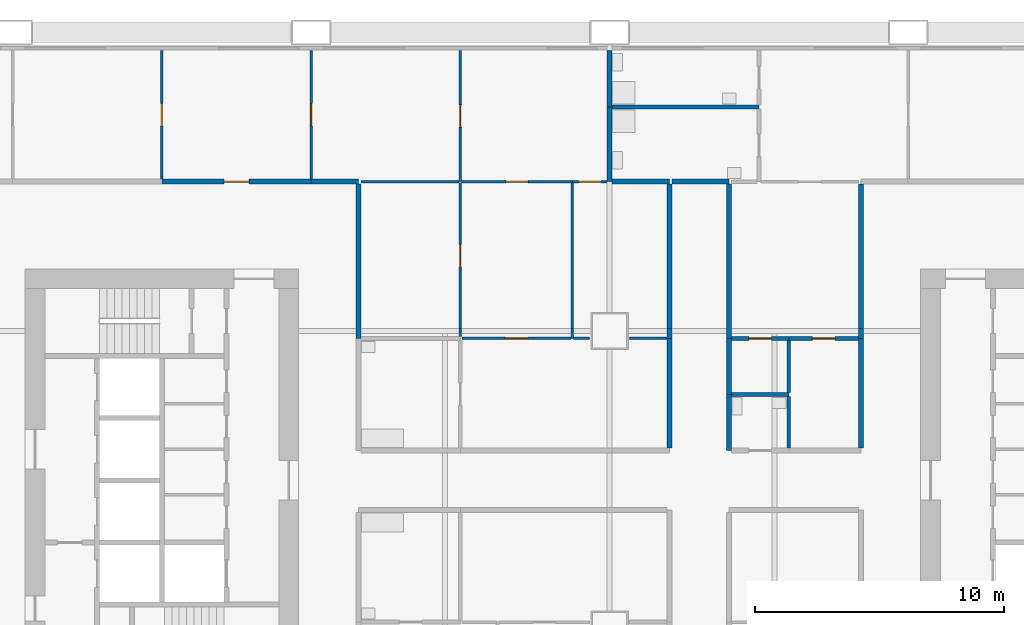
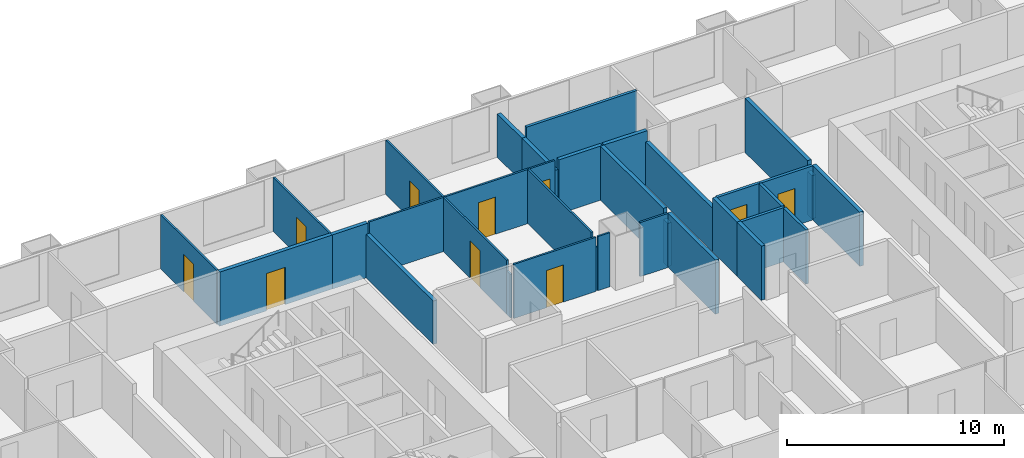
# One storey, part 8 of 13: 35 walls, 10 doors, 10 openings.
"""IFC4 building model written with IfcOpenShell, lengths in metres."""

from ifc_helpers import new_model, si_unit, direction, frame, frame_2d, origin, place, context, subcontext, project, spatial, rectangle, extrude, material, layer, layer_set, type_object, element, fill, save


model = new_model("IFC4")

# Units and contexts
model_context = context("Model", 3, precision=1e-05, world=origin(), true_north=direction((0.0, 1.0)))
body_context = subcontext(model_context, "Body", "Model", "MODEL_VIEW")
ifc_project = project(units=[si_unit("LENGTHUNIT", "METRE"), si_unit("AREAUNIT", "SQUARE_METRE"), si_unit("VOLUMEUNIT", "CUBIC_METRE"), si_unit("PLANEANGLEUNIT", "RADIAN"), si_unit("MASSUNIT", "GRAM", prefix="KILO")], contexts=[model_context])

# Site, building, storey
site_placement = place(None, origin())
site = spatial("IfcSite", under=ifc_project, at=site_placement, CompositionType="ELEMENT")
building_placement = place(site_placement, origin())
building = spatial("IfcBuilding", under=site, at=building_placement, Name="Kitamizu Gate Tower and Museum", CompositionType="ELEMENT")
storey_placement = place(building_placement, frame((0.0, 0.0, 78.300048828125)))
storey = spatial("IfcBuildingStorey", under=building, at=storey_placement, Name="L19", CompositionType="ELEMENT", Elevation=78.300048828125)

# Wall, opening, door
ifc_material_1 = material(Name="Gypsum board on galvanised stud")
ifc_layer_1 = layer(ifc_material_1, 0.10009765625)
ifc_layer_set_1 = layer_set([ifc_layer_1], Name="Gypsum board on galvanised stud")
wall_type_1 = type_object("IfcWallType", Name="Partition 100 NOT RATED", PredefinedType="PARTITIONING", material=ifc_layer_set_1)
wall_1_placement = place(storey_placement, frame((18.0, 42.10009765625, 0.0), z_axis=(0.0, 0.0, 1.0), x_axis=(0.0, 1.0, 0.0)))
wall_1 = element("IfcWall", 1, at=wall_1_placement, inside=storey, type_object=wall_type_1, Name="Partition L19-142", PredefinedType="PARTITIONING", context=body_context, shape_type="SweptSolid", body=[
    extrude(rectangle(XDim=5.179931640625, YDim=0.10009765625, at=frame_2d((2.58984375, 0.0))), origin(), (0.0, 0.0, 1.0), 3.050048828125),
])
opening_1_placement = place(wall_1_placement, frame((2.139892578125, 0.0, 0.0)))
opening_1 = element("IfcOpeningElement", 2, at=opening_1_placement, cuts=wall_1, Name="Opening L19-056", PredefinedType="OPENING", context=body_context, shape_type="SweptSolid", body=[
    extrude(rectangle(XDim=0.89990234375, YDim=2.10009765625, at=frame_2d((0.449951171875, 1.050048828125))), frame((0.0, 0.06005859375, 0.0), z_axis=(0.0, -1.0, 0.0), x_axis=(1.0, 0.0, 0.0)), (0.0, 0.0, 1.0), 0.1201171875),
])
ifc_material_2 = material(Name="Timber door set", Category="wood")
door_type_1 = type_object("IfcDoorType", Name="Room door 900", OperationType="NOTDEFINED", PredefinedType="DOOR", material=ifc_material_2)
door_1_placement = place(opening_1_placement, origin())
door_1 = element("IfcDoor", 3, at=door_1_placement, inside=storey, type_object=door_type_1, Name="Door L19-056", OperationType="SINGLE_SWING_LEFT", OverallHeight=2.10009765625, OverallWidth=0.89990234375, PredefinedType="DOOR", context=body_context, shape_type="SweptSolid", body=[
    extrude(rectangle(XDim=0.89990234375, YDim=2.10009765625, at=frame_2d((0.449951171875, 1.050048828125))), frame((0.0, 0.02490234375, 0.0), z_axis=(0.0, -1.0, 0.0), x_axis=(1.0, 0.0, 0.0)), (0.0, 0.0, 1.0), 0.050048828125),
])
fill(opening_1, door_1)

wall_2_placement = place(storey_placement, frame((24.0, 42.10009765625, 0.0), z_axis=(0.0, 0.0, 1.0), x_axis=(0.0, 1.0, 0.0)))
wall_2 = element("IfcWall", 4, at=wall_2_placement, inside=storey, type_object=wall_type_1, Name="Partition L19-144", PredefinedType="PARTITIONING", context=body_context, shape_type="SweptSolid", body=[
    extrude(rectangle(XDim=5.179931640625, YDim=0.10009765625, at=frame_2d((2.58984375, 0.0))), origin(), (0.0, 0.0, 1.0), 3.050048828125),
])
opening_2_placement = place(wall_2_placement, frame((2.139892578125, 0.0, 0.0)))
opening_2 = element("IfcOpeningElement", 5, at=opening_2_placement, cuts=wall_2, Name="Opening L19-052", PredefinedType="OPENING", context=body_context, shape_type="SweptSolid", body=[
    extrude(rectangle(XDim=0.89990234375, YDim=2.10009765625, at=frame_2d((0.449951171875, 1.050048828125))), frame((0.0, 0.06005859375, 0.0), z_axis=(0.0, -1.0, 0.0), x_axis=(1.0, 0.0, 0.0)), (0.0, 0.0, 1.0), 0.1201171875),
])
door_2_placement = place(opening_2_placement, frame((0.89990234375, 0.0, 0.0), x_axis=(-1.0, 0.0, 0.0)))
door_2 = element("IfcDoor", 6, at=door_2_placement, inside=storey, type_object=door_type_1, Name="Door L19-052", OperationType="SINGLE_SWING_LEFT", OverallHeight=2.10009765625, OverallWidth=0.89990234375, PredefinedType="DOOR", context=body_context, shape_type="SweptSolid", body=[
    extrude(rectangle(XDim=0.89990234375, YDim=2.10009765625, at=frame_2d((0.449951171875, 1.050048828125))), frame((0.0, 0.02490234375, 0.0), z_axis=(0.0, -1.0, 0.0), x_axis=(1.0, 0.0, 0.0)), (0.0, 0.0, 1.0), 0.050048828125),
])
fill(opening_2, door_2)

wall_3_placement = place(storey_placement, frame((30.0, 42.0, 0.0), z_axis=(0.0, 0.0, 1.0), x_axis=(0.0, 1.0, 0.0)))
wall_3 = element("IfcWall", 7, at=wall_3_placement, inside=storey, type_object=wall_type_1, Name="Partition L19-146", PredefinedType="PARTITIONING", context=body_context, shape_type="SweptSolid", body=[
    extrude(rectangle(XDim=5.280029296875, YDim=0.10009765625, at=frame_2d((2.64013671875, 0.0))), origin(), (0.0, 0.0, 1.0), 3.050048828125),
])
opening_3_placement = place(wall_3_placement, frame((2.18994140625, 0.0, 0.0)))
opening_3 = element("IfcOpeningElement", 8, at=opening_3_placement, cuts=wall_3, Name="Opening L19-053", PredefinedType="OPENING", context=body_context, shape_type="SweptSolid", body=[
    extrude(rectangle(XDim=0.89990234375, YDim=2.10009765625, at=frame_2d((0.449951171875, 1.050048828125))), frame((0.0, 0.06005859375, 0.0), z_axis=(0.0, -1.0, 0.0), x_axis=(1.0, 0.0, 0.0)), (0.0, 0.0, 1.0), 0.1201171875),
])
door_3_placement = place(opening_3_placement, origin())
door_3 = element("IfcDoor", 9, at=door_3_placement, inside=storey, type_object=door_type_1, Name="Door L19-053", OperationType="SINGLE_SWING_LEFT", OverallHeight=2.10009765625, OverallWidth=0.89990234375, PredefinedType="DOOR", context=body_context, shape_type="SweptSolid", body=[
    extrude(rectangle(XDim=0.89990234375, YDim=2.10009765625, at=frame_2d((0.449951171875, 1.050048828125))), frame((0.0, 0.02490234375, 0.0), z_axis=(0.0, -1.0, 0.0), x_axis=(1.0, 0.0, 0.0)), (0.0, 0.0, 1.0), 0.050048828125),
])
fill(opening_3, door_3)

# Wall
wall_4_placement = place(storey_placement, frame((26.0, 42.0, 0.0), z_axis=(0.0, 0.0, 1.0), x_axis=(1.0, 0.0, 0.0)))
element("IfcWall", 10, at=wall_4_placement, inside=storey, type_object=wall_type_1, Name="Partition L19-147", PredefinedType="PARTITIONING", context=body_context, shape_type="SweptSolid", body=[
    extrude(rectangle(XDim=3.949951171875, YDim=0.10009765625, at=frame_2d((1.97509765625, 0.0))), origin(), (0.0, 0.0, 1.0), 3.050048828125),
])

# Wall, opening, door
wall_5_placement = place(storey_placement, frame((30.050048828125, 42.0, 0.0), z_axis=(0.0, 0.0, 1.0), x_axis=(1.0, 0.0, 0.0)))
wall_5 = element("IfcWall", 11, at=wall_5_placement, inside=storey, type_object=wall_type_1, Name="Partition L19-149", PredefinedType="PARTITIONING", context=body_context, shape_type="SweptSolid", body=[
    extrude(rectangle(XDim=4.449951171875, YDim=0.10009765625, at=frame_2d((2.22509765625, 0.0))), origin(), (0.0, 0.0, 1.0), 3.050048828125),
])
opening_4_placement = place(wall_5_placement, frame((1.77490234375, 0.0, 0.0)))
opening_4 = element("IfcOpeningElement", 12, at=opening_4_placement, cuts=wall_5, Name="Opening L19-054", PredefinedType="OPENING", context=body_context, shape_type="SweptSolid", body=[
    extrude(rectangle(XDim=0.89990234375, YDim=2.10009765625, at=frame_2d((0.449951171875, 1.050048828125))), frame((0.0, 0.06005859375, 0.0), z_axis=(0.0, -1.0, 0.0), x_axis=(1.0, 0.0, 0.0)), (0.0, 0.0, 1.0), 0.1201171875),
])
door_4_placement = place(opening_4_placement, frame((0.89990234375, 0.0, 0.0), x_axis=(-1.0, 0.0, 0.0)))
door_4 = element("IfcDoor", 13, at=door_4_placement, inside=storey, type_object=door_type_1, Name="Door L19-054", OperationType="SINGLE_SWING_LEFT", OverallHeight=2.10009765625, OverallWidth=0.89990234375, PredefinedType="DOOR", context=body_context, shape_type="SweptSolid", body=[
    extrude(rectangle(XDim=0.89990234375, YDim=2.10009765625, at=frame_2d((0.449951171875, 1.050048828125))), frame((0.0, 0.02490234375, 0.0), z_axis=(0.0, -1.0, 0.0), x_axis=(1.0, 0.0, 0.0)), (0.0, 0.0, 1.0), 0.050048828125),
])
fill(opening_4, door_4)

wall_6_placement = place(storey_placement, frame((34.5, 42.0, 0.0), z_axis=(0.0, 0.0, 1.0), x_axis=(1.0, 0.0, 0.0)))
wall_6 = element("IfcWall", 14, at=wall_6_placement, inside=storey, type_object=wall_type_1, Name="Partition L19-150", PredefinedType="PARTITIONING", context=body_context, shape_type="SweptSolid", body=[
    extrude(rectangle(XDim=1.39990234375, YDim=0.10009765625, at=frame_2d((0.699951171875, 0.0))), origin(), (0.0, 0.0, 1.0), 3.050048828125),
])
opening_5_placement = place(wall_6_placement, frame((0.25, 0.0, 0.0)))
opening_5 = element("IfcOpeningElement", 15, at=opening_5_placement, cuts=wall_6, Name="Opening L19-055", PredefinedType="OPENING", context=body_context, shape_type="SweptSolid", body=[
    extrude(rectangle(XDim=0.89990234375, YDim=2.10009765625, at=frame_2d((0.449951171875, 1.050048828125))), frame((0.0, 0.06005859375, 0.0), z_axis=(0.0, -1.0, 0.0), x_axis=(1.0, 0.0, 0.0)), (0.0, 0.0, 1.0), 0.1201171875),
])
door_5_placement = place(opening_5_placement, frame((0.89990234375, 0.0, 0.0), x_axis=(-1.0, 0.0, 0.0)))
door_5 = element("IfcDoor", 16, at=door_5_placement, inside=storey, type_object=door_type_1, Name="Door L19-055", OperationType="SINGLE_SWING_LEFT", OverallHeight=2.10009765625, OverallWidth=0.89990234375, PredefinedType="DOOR", context=body_context, shape_type="SweptSolid", body=[
    extrude(rectangle(XDim=0.89990234375, YDim=2.10009765625, at=frame_2d((0.449951171875, 1.050048828125))), frame((0.0, 0.02490234375, 0.0), z_axis=(0.0, -1.0, 0.0), x_axis=(1.0, 0.0, 0.0)), (0.0, 0.0, 1.0), 0.050048828125),
])
fill(opening_5, door_5)

# Wall
wall_7_placement = place(storey_placement, frame((30.0, 35.77490234375, 0.0), z_axis=(0.0, 0.0, 1.0), x_axis=(0.0, 1.0, 0.0)))
element("IfcWall", 17, at=wall_7_placement, inside=storey, type_object=wall_type_1, Name="Partition L19-153", PredefinedType="PARTITIONING", context=body_context, shape_type="SweptSolid", body=[
    extrude(rectangle(XDim=0.3251953125, YDim=0.10009765625, at=frame_2d((0.16259765625, 0.0))), origin(), (0.0, 0.0, 1.0), 2.449951171875),
])

# Wall, opening, door
wall_8_placement = place(storey_placement, frame((30.0, 36.10009765625, 0.0), z_axis=(0.0, 0.0, 1.0), x_axis=(0.0, 1.0, 0.0)))
wall_8 = element("IfcWall", 18, at=wall_8_placement, inside=storey, type_object=wall_type_1, Name="Partition L19-154", PredefinedType="PARTITIONING", context=body_context, shape_type="SweptSolid", body=[
    extrude(rectangle(XDim=5.849853515625, YDim=0.10009765625, at=frame_2d((2.9248046875, 0.0))), origin(), (0.0, 0.0, 1.0), 3.050048828125),
])
opening_6_placement = place(wall_8_placement, frame((2.47509765625, 0.0, 0.0)))
opening_6 = element("IfcOpeningElement", 19, at=opening_6_placement, cuts=wall_8, Name="Opening L19-057", PredefinedType="OPENING", context=body_context, shape_type="SweptSolid", body=[
    extrude(rectangle(XDim=0.89990234375, YDim=2.10009765625, at=frame_2d((0.449951171875, 1.050048828125))), frame((0.0, 0.06005859375, 0.0), z_axis=(0.0, -1.0, 0.0), x_axis=(1.0, 0.0, 0.0)), (0.0, 0.0, 1.0), 0.1201171875),
])
door_6_placement = place(opening_6_placement, origin())
door_6 = element("IfcDoor", 20, at=door_6_placement, inside=storey, type_object=door_type_1, Name="Door L19-057", OperationType="SINGLE_SWING_RIGHT", OverallHeight=2.10009765625, OverallWidth=0.89990234375, PredefinedType="DOOR", context=body_context, shape_type="SweptSolid", body=[
    extrude(rectangle(XDim=0.89990234375, YDim=2.10009765625, at=frame_2d((0.449951171875, 1.050048828125))), frame((0.0, 0.02490234375, 0.0), z_axis=(0.0, -1.0, 0.0), x_axis=(1.0, 0.0, 0.0)), (0.0, 0.0, 1.0), 0.050048828125),
])
fill(opening_6, door_6)

# Walls
wall_9_placement = place(storey_placement, frame((34.5, 35.699951171875, 0.0), z_axis=(0.0, 0.0, 1.0), x_axis=(0.0, 1.0, 0.0)))
element("IfcWall", 21, at=wall_9_placement, inside=storey, type_object=wall_type_1, Name="Partition L19-157", PredefinedType="PARTITIONING", context=body_context, shape_type="SweptSolid", body=[
    extrude(rectangle(XDim=0.400146484375, YDim=0.10009765625, at=frame_2d((0.2001953125, 0.0))), origin(), (0.0, 0.0, 1.0), 2.449951171875),
])
wall_10_placement = place(storey_placement, frame((34.5, 36.10009765625, 0.0), z_axis=(0.0, 0.0, 1.0), x_axis=(0.0, 1.0, 0.0)))
element("IfcWall", 22, at=wall_10_placement, inside=storey, type_object=wall_type_1, Name="Partition L19-158", PredefinedType="PARTITIONING", context=body_context, shape_type="SweptSolid", body=[
    extrude(rectangle(XDim=5.849853515625, YDim=0.10009765625, at=frame_2d((2.9248046875, 0.0))), origin(), (0.0, 0.0, 1.0), 3.050048828125),
])

# Wall, opening, door
wall_11_placement = place(storey_placement, frame((30.074951171875, 35.699951171875, 0.0), z_axis=(0.0, 0.0, 1.0), x_axis=(1.0, 0.0, 0.0)))
wall_11 = element("IfcWall", 23, at=wall_11_placement, inside=storey, type_object=wall_type_1, Name="Partition L19-159", PredefinedType="PARTITIONING", context=body_context, shape_type="SweptSolid", body=[
    extrude(rectangle(XDim=4.375, YDim=0.10009765625, at=frame_2d((2.1875, 0.0))), origin(), (0.0, 0.0, 1.0), 3.050048828125),
])
opening_7_placement = place(wall_11_placement, frame((1.737548828125, 0.0, 0.0)))
opening_7 = element("IfcOpeningElement", 24, at=opening_7_placement, cuts=wall_11, Name="Opening L19-058", PredefinedType="OPENING", context=body_context, shape_type="SweptSolid", body=[
    extrude(rectangle(XDim=0.89990234375, YDim=2.10009765625, at=frame_2d((0.449951171875, 1.050048828125))), frame((0.0, 0.06005859375, 0.0), z_axis=(0.0, -1.0, 0.0), x_axis=(1.0, 0.0, 0.0)), (0.0, 0.0, 1.0), 0.1201171875),
])
door_7_placement = place(opening_7_placement, origin())
door_7 = element("IfcDoor", 25, at=door_7_placement, inside=storey, type_object=door_type_1, Name="Door L19-058", OperationType="SINGLE_SWING_LEFT", OverallHeight=2.10009765625, OverallWidth=0.89990234375, PredefinedType="DOOR", context=body_context, shape_type="SweptSolid", body=[
    extrude(rectangle(XDim=0.89990234375, YDim=2.10009765625, at=frame_2d((0.449951171875, 1.050048828125))), frame((0.0, 0.02490234375, 0.0), z_axis=(0.0, -1.0, 0.0), x_axis=(1.0, 0.0, 0.0)), (0.0, 0.0, 1.0), 0.050048828125),
])
fill(opening_7, door_7)

# Walls
wall_12_placement = place(storey_placement, frame((34.550048828125, 35.699951171875, 0.0), z_axis=(0.0, 0.0, 1.0), x_axis=(1.0, 0.0, 0.0)))
element("IfcWall", 26, at=wall_12_placement, inside=storey, type_object=wall_type_1, Name="Partition L19-160", PredefinedType="PARTITIONING", context=body_context, shape_type="SweptSolid", body=[
    extrude(rectangle(XDim=0.64990234375, YDim=0.10009765625, at=frame_2d((0.324951171875, 0.0))), origin(), (0.0, 0.0, 1.0), 3.050048828125),
])
wall_13_placement = place(storey_placement, frame((36.800048828125, 35.699951171875, 0.0), z_axis=(0.0, 0.0, 1.0), x_axis=(1.0, 0.0, 0.0)))
element("IfcWall", 27, at=wall_13_placement, inside=storey, type_object=wall_type_1, Name="Partition L19-161", PredefinedType="PARTITIONING", context=body_context, shape_type="SweptSolid", body=[
    extrude(rectangle(XDim=1.5, YDim=0.10009765625, at=frame_2d((0.75, 0.0))), origin(), (0.0, 0.0, 1.0), 3.050048828125),
])
ifc_material_3 = material(Name="Gypsum board on galvanised stud")
ifc_layer_2 = layer(ifc_material_3, 0.14990234375)
ifc_layer_set_2 = layer_set([ifc_layer_2], Name="Gypsum board on galvanised stud")
wall_type_2 = type_object("IfcWallType", Name="Partition 150", PredefinedType="PARTITIONING", material=ifc_layer_set_2)
wall_14_placement = place(storey_placement, frame((42.0, 45.0, 0.0), z_axis=(0.0, 0.0, 1.0), x_axis=(-1.0, 0.0, 0.0)))
element("IfcWall", 28, at=wall_14_placement, inside=storey, type_object=wall_type_2, Name="Partition L19-171", PredefinedType="PARTITIONING", context=body_context, shape_type="SweptSolid", body=[
    extrude(rectangle(XDim=5.89990234375, YDim=0.14990234375, at=frame_2d((2.949951171875, 0.0))), origin(), (0.0, 0.0, 1.0), 3.050048828125),
])

# Wall, opening, door
wall_15_placement = place(storey_placement, frame((40.89990234375, 35.699951171875, 0.0), z_axis=(0.0, 0.0, 1.0), x_axis=(1.0, 0.0, 0.0)))
wall_15 = element("IfcWall", 29, at=wall_15_placement, inside=storey, type_object=wall_type_2, Name="Partition L19-184", PredefinedType="PARTITIONING", context=body_context, shape_type="SweptSolid", body=[
    extrude(rectangle(XDim=2.300048828125, YDim=0.14990234375, at=frame_2d((1.14990234375, 0.0))), origin(), (0.0, 0.0, 1.0), 3.050048828125),
])
opening_8_placement = place(wall_15_placement, frame((0.699951171875, 0.0, 0.0)))
opening_8 = element("IfcOpeningElement", 30, at=opening_8_placement, cuts=wall_15, Name="Opening L19-068", PredefinedType="OPENING", context=body_context, shape_type="SweptSolid", body=[
    extrude(rectangle(XDim=0.89990234375, YDim=2.10009765625, at=frame_2d((0.449951171875, 1.050048828125))), frame((0.0, 0.0849609375, 0.0), z_axis=(0.0, -1.0, 0.0), x_axis=(1.0, 0.0, 0.0)), (0.0, 0.0, 1.0), 0.169921875),
])
ifc_material_4 = material(Name="Timber door set", Category="wood")
door_type_2 = type_object("IfcDoorType", Name="Bathroom door 900", OperationType="NOTDEFINED", PredefinedType="DOOR", material=ifc_material_4)
door_8_placement = place(opening_8_placement, frame((0.89990234375, 0.0, 0.0), x_axis=(-1.0, 0.0, 0.0)))
door_8 = element("IfcDoor", 31, at=door_8_placement, inside=storey, type_object=door_type_2, Name="Bathroom door L19-068", OperationType="SINGLE_SWING_RIGHT", OverallHeight=2.10009765625, OverallWidth=0.89990234375, PredefinedType="DOOR", context=body_context, shape_type="SweptSolid", body=[
    extrude(rectangle(XDim=0.89990234375, YDim=2.10009765625, at=frame_2d((0.449951171875, 1.050048828125))), frame((0.0, 0.02490234375, 0.0), z_axis=(0.0, -1.0, 0.0), x_axis=(1.0, 0.0, 0.0)), (0.0, 0.0, 1.0), 0.050048828125),
])
fill(opening_8, door_8)

wall_16_placement = place(storey_placement, frame((43.199951171875, 35.699951171875, 0.0), z_axis=(0.0, 0.0, 1.0), x_axis=(1.0, 0.0, 0.0)))
wall_16 = element("IfcWall", 32, at=wall_16_placement, inside=storey, type_object=wall_type_2, Name="Partition L19-185", PredefinedType="PARTITIONING", context=body_context, shape_type="SweptSolid", body=[
    extrude(rectangle(XDim=2.800048828125, YDim=0.14990234375, at=frame_2d((1.39990234375, 0.0))), origin(), (0.0, 0.0, 1.0), 3.050048828125),
])
opening_9_placement = place(wall_16_placement, frame((0.949951171875, 0.0, 0.0)))
opening_9 = element("IfcOpeningElement", 33, at=opening_9_placement, cuts=wall_16, Name="Opening L19-069", PredefinedType="OPENING", context=body_context, shape_type="SweptSolid", body=[
    extrude(rectangle(XDim=0.89990234375, YDim=2.10009765625, at=frame_2d((0.449951171875, 1.050048828125))), frame((0.0, 0.0849609375, 0.0), z_axis=(0.0, -1.0, 0.0), x_axis=(1.0, 0.0, 0.0)), (0.0, 0.0, 1.0), 0.169921875),
])
door_9_placement = place(opening_9_placement, frame((0.89990234375, 0.0, 0.0), x_axis=(-1.0, 0.0, 0.0)))
door_9 = element("IfcDoor", 34, at=door_9_placement, inside=storey, type_object=door_type_2, Name="Bathroom door L19-069", OperationType="SINGLE_SWING_LEFT", OverallHeight=2.10009765625, OverallWidth=0.89990234375, PredefinedType="DOOR", context=body_context, shape_type="SweptSolid", body=[
    extrude(rectangle(XDim=0.89990234375, YDim=2.10009765625, at=frame_2d((0.449951171875, 1.050048828125))), frame((0.0, 0.02490234375, 0.0), z_axis=(0.0, -1.0, 0.0), x_axis=(1.0, 0.0, 0.0)), (0.0, 0.0, 1.0), 0.050048828125),
])
fill(opening_9, door_9)

# Walls
wall_17_placement = place(storey_placement, frame((43.199951171875, 33.449951171875, 0.0), z_axis=(0.0, 0.0, 1.0), x_axis=(-1.0, 0.0, 0.0)))
element("IfcWall", 35, at=wall_17_placement, inside=storey, type_object=wall_type_2, Name="Partition L19-189", PredefinedType="PARTITIONING", context=body_context, shape_type="SweptSolid", body=[
    extrude(rectangle(XDim=2.300048828125, YDim=0.14990234375, at=frame_2d((1.14990234375, 0.0))), origin(), (0.0, 0.0, 1.0), 3.050048828125),
])
wall_18_placement = place(storey_placement, frame((43.199951171875, 31.300048828125, 0.0), z_axis=(0.0, 0.0, 1.0), x_axis=(0.0, 1.0, 0.0)))
element("IfcWall", 36, at=wall_18_placement, inside=storey, type_object=wall_type_2, Name="Partition L19-190", PredefinedType="PARTITIONING", context=body_context, shape_type="SweptSolid", body=[
    extrude(rectangle(XDim=2.074951171875, YDim=0.14990234375, at=frame_2d((1.03759765625, 0.0))), origin(), (0.0, 0.0, 1.0), 3.050048828125),
])
wall_19_placement = place(storey_placement, frame((43.199951171875, 33.52490234375, 0.0), z_axis=(0.0, 0.0, 1.0), x_axis=(0.0, 1.0, 0.0)))
element("IfcWall", 37, at=wall_19_placement, inside=storey, type_object=wall_type_2, Name="Partition L19-193", PredefinedType="PARTITIONING", context=body_context, shape_type="SweptSolid", body=[
    extrude(rectangle(XDim=2.10009765625, YDim=0.14990234375, at=frame_2d((1.050048828125, 0.0))), origin(), (0.0, 0.0, 1.0), 3.050048828125),
])

# Wall, opening, door
ifc_material_5 = material(Name="Gypsum board on galvanised stud")
ifc_layer_3 = layer(ifc_material_5, 0.199951171875)
ifc_layer_set_3 = layer_set([ifc_layer_3], Name="Gypsum board on galvanised stud")
wall_type_3 = type_object("IfcWallType", Name="Partition 200", PredefinedType="PARTITIONING", material=ifc_layer_set_3)
wall_20_placement = place(storey_placement, frame((18.0, 42.0, 0.0), z_axis=(0.0, 0.0, 1.0), x_axis=(1.0, 0.0, 0.0)))
wall_20 = element("IfcWall", 38, at=wall_20_placement, inside=storey, type_object=wall_type_3, Name="Partition L19-145", PredefinedType="PARTITIONING", context=body_context, shape_type="SweptSolid", body=[
    extrude(rectangle(XDim=6.0, YDim=0.199951171875, at=frame_2d((3.0, 0.0))), origin(), (0.0, 0.0, 1.0), 3.050048828125),
])
opening_10_placement = place(wall_20_placement, frame((2.5, 0.0, 0.0)))
opening_10 = element("IfcOpeningElement", 39, at=opening_10_placement, cuts=wall_20, Name="Opening L19-051", PredefinedType="OPENING", context=body_context, shape_type="SweptSolid", body=[
    extrude(rectangle(XDim=1.0, YDim=2.10009765625, at=frame_2d((0.5, 1.050048828125))), frame((0.0, 0.10986328125, 0.0), z_axis=(0.0, -1.0, 0.0), x_axis=(1.0, 0.0, 0.0)), (0.0, 0.0, 1.0), 0.219970703125),
])
ifc_material_6 = material(Name="Timber door set", Category="wood")
door_type_3 = type_object("IfcDoorType", Name="Flat entrance door 1000", OperationType="NOTDEFINED", PredefinedType="DOOR", material=ifc_material_6)
door_10_placement = place(opening_10_placement, origin())
door_10 = element("IfcDoor", 40, at=door_10_placement, inside=storey, type_object=door_type_3, Name="Flat entrance door L19-051", OperationType="SINGLE_SWING_LEFT", OverallHeight=2.10009765625, OverallWidth=1.0, PredefinedType="DOOR", context=body_context, shape_type="SweptSolid", body=[
    extrude(rectangle(XDim=1.0, YDim=2.10009765625, at=frame_2d((0.5, 1.050048828125))), frame((0.0, 0.02490234375, 0.0), z_axis=(0.0, -1.0, 0.0), x_axis=(1.0, 0.0, 0.0)), (0.0, 0.0, 1.0), 0.050048828125),
])
fill(opening_10, door_10)

# Walls
wall_21_placement = place(storey_placement, frame((24.0, 42.0, 0.0), z_axis=(0.0, 0.0, 1.0), x_axis=(1.0, 0.0, 0.0)))
element("IfcWall", 41, at=wall_21_placement, inside=storey, type_object=wall_type_3, Name="Partition L19-148", PredefinedType="PARTITIONING", context=body_context, shape_type="SweptSolid", body=[
    extrude(rectangle(XDim=1.89990234375, YDim=0.199951171875, at=frame_2d((0.949951171875, 0.0))), origin(), (0.0, 0.0, 1.0), 3.050048828125),
])
wall_22_placement = place(storey_placement, frame((36.0, 42.0, 0.0), z_axis=(0.0, 0.0, 1.0), x_axis=(0.0, 1.0, 0.0)))
element("IfcWall", 42, at=wall_22_placement, inside=storey, type_object=wall_type_3, Name="Partition L19-151", PredefinedType="PARTITIONING", context=body_context, shape_type="SweptSolid", body=[
    extrude(rectangle(XDim=3.0, YDim=0.199951171875, at=frame_2d((1.5, 0.0))), origin(), (0.0, 0.0, 1.0), 2.449951171875),
])
wall_23_placement = place(storey_placement, frame((36.0, 45.0, 0.0), z_axis=(0.0, 0.0, 1.0), x_axis=(0.0, 1.0, 0.0)))
element("IfcWall", 43, at=wall_23_placement, inside=storey, type_object=wall_type_3, Name="Partition L19-152", PredefinedType="PARTITIONING", context=body_context, shape_type="SweptSolid", body=[
    extrude(rectangle(XDim=2.280029296875, YDim=0.199951171875, at=frame_2d((1.14013671875, 0.0))), origin(), (0.0, 0.0, 1.0), 2.449951171875),
])
wall_24_placement = place(storey_placement, frame((25.89990234375, 41.89990234375, 0.0), z_axis=(0.0, 0.0, 1.0), x_axis=(0.0, -1.0, 0.0)))
element("IfcWall", 44, at=wall_24_placement, inside=storey, type_object=wall_type_3, Name="Partition L19-156", PredefinedType="PARTITIONING", context=body_context, shape_type="SweptSolid", body=[
    extrude(rectangle(XDim=6.199951171875, YDim=0.199951171875, at=frame_2d((3.10009765625, 0.0))), origin(), (0.0, 0.0, 1.0), 2.449951171875),
])
wall_25_placement = place(storey_placement, frame((38.39990234375, 42.0, 0.0), z_axis=(0.0, 0.0, 1.0), x_axis=(-1.0, 0.0, 0.0)))
element("IfcWall", 45, at=wall_25_placement, inside=storey, type_object=wall_type_3, Name="Partition L19-162", PredefinedType="PARTITIONING", context=body_context, shape_type="SweptSolid", body=[
    extrude(rectangle(XDim=2.2998046875, YDim=0.199951171875, at=frame_2d((1.14990234375, 0.0))), origin(), (0.0, 0.0, 1.0), 3.050048828125),
])
wall_26_placement = place(storey_placement, frame((38.39990234375, 35.699951171875, 0.0), z_axis=(0.0, 0.0, 1.0), x_axis=(0.0, 1.0, 0.0)))
element("IfcWall", 46, at=wall_26_placement, inside=storey, type_object=wall_type_3, Name="Partition L19-163", PredefinedType="PARTITIONING", context=body_context, shape_type="SweptSolid", body=[
    extrude(rectangle(XDim=0.400146484375, YDim=0.199951171875, at=frame_2d((0.2001953125, 0.0))), origin(), (0.0, 0.0, 1.0), 2.449951171875),
])
wall_27_placement = place(storey_placement, frame((38.39990234375, 36.10009765625, 0.0), z_axis=(0.0, 0.0, 1.0), x_axis=(0.0, 1.0, 0.0)))
element("IfcWall", 47, at=wall_27_placement, inside=storey, type_object=wall_type_3, Name="Partition L19-164", PredefinedType="PARTITIONING", context=body_context, shape_type="SweptSolid", body=[
    extrude(rectangle(XDim=5.7998046875, YDim=0.199951171875, at=frame_2d((2.89990234375, 0.0))), origin(), (0.0, 0.0, 1.0), 3.050048828125),
])
wall_28_placement = place(storey_placement, frame((38.39990234375, 31.300048828125, 0.0), z_axis=(0.0, 0.0, 1.0), x_axis=(0.0, 1.0, 0.0)))
element("IfcWall", 48, at=wall_28_placement, inside=storey, type_object=wall_type_3, Name="Partition L19-170", PredefinedType="PARTITIONING", context=body_context, shape_type="SweptSolid", body=[
    extrude(rectangle(XDim=4.39990234375, YDim=0.199951171875, at=frame_2d((2.199951171875, 0.0))), origin(), (0.0, 0.0, 1.0), 3.050048828125),
])
wall_29_placement = place(storey_placement, frame((38.5, 42.0, 0.0), z_axis=(0.0, 0.0, 1.0), x_axis=(1.0, 0.0, 0.0)))
element("IfcWall", 49, at=wall_29_placement, inside=storey, type_object=wall_type_3, Name="Partition L19-174", PredefinedType="PARTITIONING", context=body_context, shape_type="SweptSolid", body=[
    extrude(rectangle(XDim=2.300048828125, YDim=0.199951171875, at=frame_2d((1.14990234375, 0.0))), origin(), (0.0, 0.0, 1.0), 3.050048828125),
])
wall_30_placement = place(storey_placement, frame((40.800048828125, 41.89990234375, 0.0), z_axis=(0.0, 0.0, 1.0), x_axis=(0.0, -1.0, 0.0)))
element("IfcWall", 50, at=wall_30_placement, inside=storey, type_object=wall_type_3, Name="Partition L19-186", PredefinedType="PARTITIONING", context=body_context, shape_type="SweptSolid", body=[
    extrude(rectangle(XDim=6.199951171875, YDim=0.199951171875, at=frame_2d((3.10009765625, 0.0))), origin(), (0.0, 0.0, 1.0), 2.449951171875),
])
wall_31_placement = place(storey_placement, frame((46.10009765625, 35.699951171875, 0.0), z_axis=(0.0, 0.0, 1.0), x_axis=(0.0, 1.0, 0.0)))
element("IfcWall", 51, at=wall_31_placement, inside=storey, type_object=wall_type_3, Name="Partition L19-187", PredefinedType="PARTITIONING", context=body_context, shape_type="SweptSolid", body=[
    extrude(rectangle(XDim=0.400146484375, YDim=0.199951171875, at=frame_2d((0.2001953125, 0.0))), origin(), (0.0, 0.0, 1.0), 2.449951171875),
])
wall_32_placement = place(storey_placement, frame((46.10009765625, 36.10009765625, 0.0), z_axis=(0.0, 0.0, 1.0), x_axis=(0.0, 1.0, 0.0)))
element("IfcWall", 52, at=wall_32_placement, inside=storey, type_object=wall_type_3, Name="Partition L19-188", PredefinedType="PARTITIONING", context=body_context, shape_type="SweptSolid", body=[
    extrude(rectangle(XDim=5.7998046875, YDim=0.199951171875, at=frame_2d((2.89990234375, 0.0))), origin(), (0.0, 0.0, 1.0), 3.050048828125),
])
for number, where, z_axis, x_axis, name in (
    (53, (40.800048828125, 33.449951171875, 0.0), (0.0, 0.0, 1.0), (0.0, -1.0, 0.0), "Partition L19-191"),
    (54, (40.800048828125, 35.699951171875, 0.0), (0.0, 0.0, 1.0), (0.0, -1.0, 0.0), "Partition L19-194"),
):
    element("IfcWall", number, at=place(storey_placement, frame(where, z_axis=z_axis, x_axis=x_axis)), inside=storey, type_object=wall_type_3, Name=name, PredefinedType="PARTITIONING", context=body_context, shape_type="SweptSolid", body=[
        extrude(rectangle(XDim=2.25, YDim=0.199951171875, at=frame_2d((1.125, 0.0))), origin(), (0.0, 0.0, 1.0), 3.050048828125),
    ])
wall_33_placement = place(storey_placement, frame((46.10009765625, 31.300048828125, 0.0), z_axis=(0.0, 0.0, 1.0), x_axis=(0.0, 1.0, 0.0)))
element("IfcWall", 55, at=wall_33_placement, inside=storey, type_object=wall_type_3, Name="Partition L19-196", PredefinedType="PARTITIONING", context=body_context, shape_type="SweptSolid", body=[
    extrude(rectangle(XDim=4.39990234375, YDim=0.199951171875, at=frame_2d((2.199951171875, 0.0))), origin(), (0.0, 0.0, 1.0), 3.050048828125),
])

save(model, "model.ifc")
